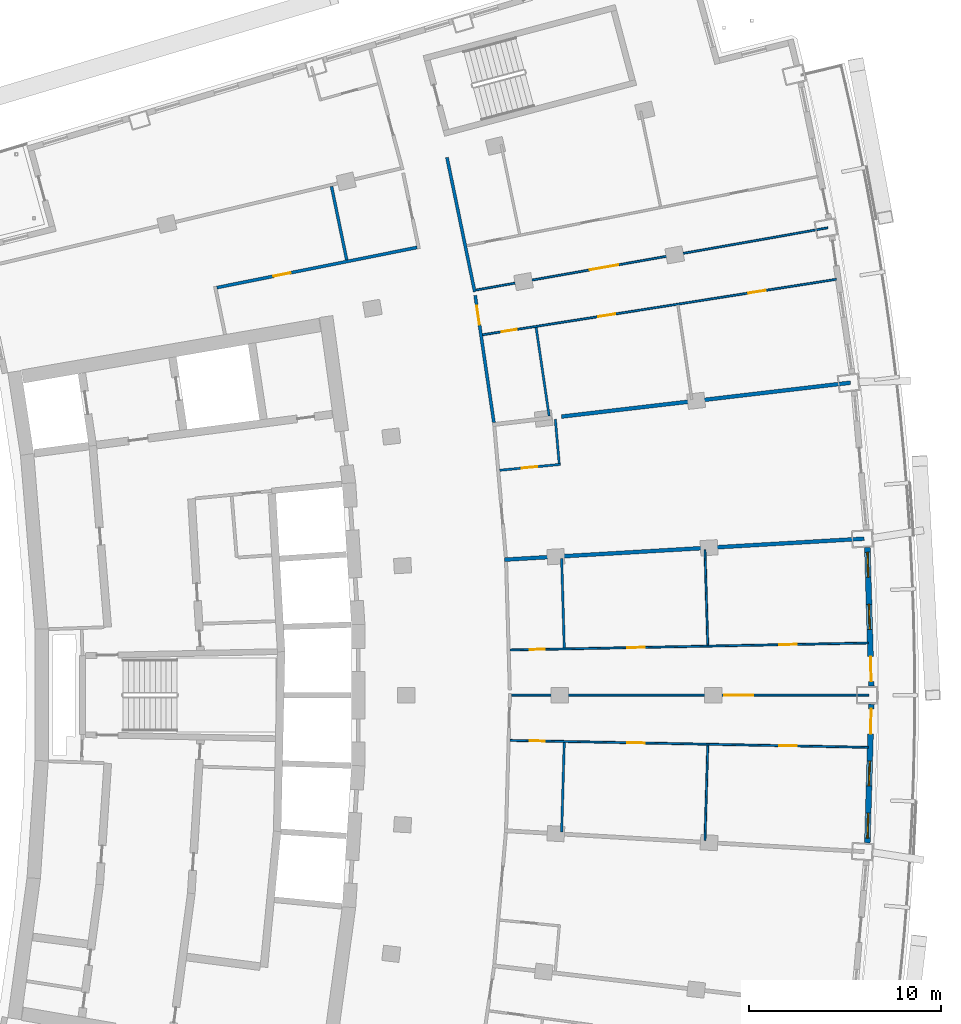
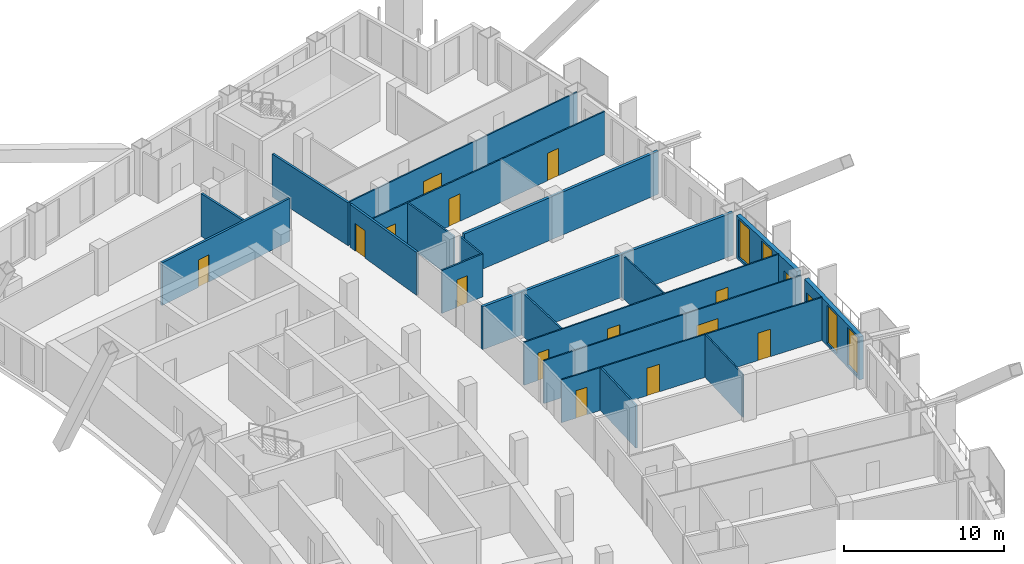
# One storey, part 14 of 20: 20 walls, 16 doors, 4 windows, 20 openings.
"""IFC4 building model written with IfcOpenShell, lengths in metres."""

from ifc_helpers import new_model, si_unit, direction, frame, frame_2d, origin, place, context, subcontext, project, spatial, rectangle, extrude, material, layer, layer_set, type_object, element, fill, save


model = new_model("IFC4")

# Units and contexts
model_context = context("Model", 3, precision=1e-05, world=origin(), true_north=direction((0.0, 1.0)))
body_context = subcontext(model_context, "Body", "Model", "MODEL_VIEW")
ifc_project = project(units=[si_unit("LENGTHUNIT", "METRE"), si_unit("AREAUNIT", "SQUARE_METRE"), si_unit("VOLUMEUNIT", "CUBIC_METRE"), si_unit("PLANEANGLEUNIT", "RADIAN"), si_unit("MASSUNIT", "GRAM", prefix="KILO")], contexts=[model_context])

# Site, building, storey
site_placement = place(None, origin())
site = spatial("IfcSite", under=ifc_project, at=site_placement, CompositionType="ELEMENT")
building_placement = place(site_placement, origin())
building = spatial("IfcBuilding", under=site, at=building_placement, Name="Alderwake Tower", CompositionType="ELEMENT")
storey_placement = place(building_placement, frame((0.0, 0.0, 149.60009765625)))
storey = spatial("IfcBuildingStorey", under=building, at=storey_placement, Name="L36", CompositionType="ELEMENT", Elevation=149.60009765625)

# Wall, opening, door
ifc_material_1 = material(Name="Gypsum board on metal studs, rated")
ifc_layer_1 = layer(ifc_material_1, 0.159912109375)
ifc_layer_set_1 = layer_set([ifc_layer_1], Name="Corridor wall 160")
wall_type_1 = type_object("IfcWallType", Name="Corridor wall 160", PredefinedType="PARTITIONING", material=ifc_layer_set_1)
wall_1_placement = place(storey_placement, frame((25.926513671875, 82.24267578125, 0.0), z_axis=(0.0, 0.0, 1.0), x_axis=(0.98046310274, 0.196703086316, 0.0)))
wall_1 = element("IfcWall", 1, at=wall_1_placement, inside=storey, type_object=wall_type_1, Name="WL/L36/W20", PredefinedType="PARTITIONING", context=body_context, shape_type="SweptSolid", body=[
    extrude(rectangle(XDim=10.637939453125, YDim=0.159912109375, at=frame_2d((5.31884765625, 0.0))), origin(), (0.0, 0.0, 1.0), 3.27978515625),
])
opening_1_placement = place(wall_1_placement, frame((3.009033203125, 0.0, 0.0)))
opening_1 = element("IfcOpeningElement", 2, at=opening_1_placement, cuts=wall_1, Name="Opening R10-SBN1", PredefinedType="OPENING", context=body_context, shape_type="SweptSolid", body=[
    extrude(rectangle(XDim=0.89990234375, YDim=2.10009765625, at=frame_2d((0.449951171875, 1.050048828125))), frame((0.0, 0.08984375, 0.0), z_axis=(0.0, -1.0, 0.0), x_axis=(1.0, 0.0, 0.0)), (0.0, 0.0, 1.0), 0.179931640625),
])
ifc_material_2 = material(Name="Painted timber leaf", Category="wood")
door_type_1 = type_object("IfcDoorType", Name="Room door 900", OperationType="SINGLE_SWING_LEFT", PredefinedType="DOOR", material=ifc_material_2)
door_1_placement = place(opening_1_placement, origin())
door_1 = element("IfcDoor", 3, at=door_1_placement, inside=storey, type_object=door_type_1, Name="DR/L36/SBN1", OperationType="SINGLE_SWING_LEFT", OverallHeight=2.10009765625, OverallWidth=0.89990234375, PredefinedType="DOOR", context=body_context, shape_type="SweptSolid", body=[
    extrude(rectangle(XDim=0.89990234375, YDim=2.10009765625, at=frame_2d((0.449951171875, 1.050048828125))), frame((0.0, 0.02490234375, 0.0), z_axis=(0.0, -1.0, 0.0), x_axis=(1.0, 0.0, 0.0)), (0.0, 0.0, 1.0), 0.050048828125),
])
fill(opening_1, door_1)

# Wall
wall_2_placement = place(storey_placement, frame((39.3642578125, 82.022705078125, 0.0), z_axis=(0.0, 0.0, 1.0), x_axis=(-0.202409142021, 0.979301046271, 0.0)))
element("IfcWall", 4, at=wall_2_placement, inside=storey, type_object=wall_type_1, Name="WL/L36/W23", PredefinedType="PARTITIONING", context=body_context, shape_type="SweptSolid", body=[
    extrude(rectangle(XDim=7.150146484375, YDim=0.159912109375, at=frame_2d((3.5751953125, 0.0))), origin(), (0.0, 0.0, 1.0), 3.27978515625),
])

# Wall, opening, door
wall_3_placement = place(storey_placement, frame((39.38671875, 81.837158203125, 0.0), z_axis=(0.0, 0.0, 1.0), x_axis=(0.145576845789, -0.989346947218, 0.0)))
wall_3 = element("IfcWall", 5, at=wall_3_placement, inside=storey, type_object=wall_type_1, Name="WL/L36/W24", PredefinedType="PARTITIONING", context=body_context, shape_type="SweptSolid", body=[
    extrude(rectangle(XDim=6.701416015625, YDim=0.159912109375, at=frame_2d((3.3505859375, 0.0))), origin(), (0.0, 0.0, 1.0), 3.27978515625),
])
opening_2_placement = place(wall_3_placement, frame((0.54443359375, 0.0, 0.0)))
opening_2 = element("IfcOpeningElement", 6, at=opening_2_placement, cuts=wall_3, Name="Opening R10-U07.2", PredefinedType="OPENING", context=body_context, shape_type="SweptSolid", body=[
    extrude(rectangle(XDim=1.0, YDim=2.10009765625, at=frame_2d((0.5, 1.050048828125))), frame((0.0, 0.08984375, 0.0), z_axis=(0.0, -1.0, 0.0), x_axis=(1.0, 0.0, 0.0)), (0.0, 0.0, 1.0), 0.179931640625),
])
ifc_material_3 = material(Name="Solid timber leaf in steel frame", Category="steel")
door_type_2 = type_object("IfcDoorType", Name="Flat entrance door 1000 fire-rated", OperationType="SINGLE_SWING_LEFT", PredefinedType="DOOR", material=ifc_material_3)
door_2_placement = place(opening_2_placement, origin())
door_2 = element("IfcDoor", 7, at=door_2_placement, inside=storey, type_object=door_type_2, Name="DR/L36/U07.2", OperationType="SINGLE_SWING_LEFT", OverallHeight=2.10009765625, OverallWidth=1.0, PredefinedType="DOOR", context=body_context, shape_type="SweptSolid", body=[
    extrude(rectangle(XDim=1.0, YDim=2.10009765625, at=frame_2d((0.5, 1.050048828125))), frame((0.0, 0.02490234375, 0.0), z_axis=(0.0, -1.0, 0.0), x_axis=(1.0, 0.0, 0.0)), (0.0, 0.0, 1.0), 0.050048828125),
])
fill(opening_2, door_2)

# Wall, openings, door, windows
ifc_material_4 = material(Name="Precast concrete C50/60 spandrel panel", Category="concrete")
ifc_layer_2 = layer(ifc_material_4, 0.300048828125)
ifc_layer_set_2 = layer_set([ifc_layer_2], Name="External wall EW1 Precast concrete C50/60 spandrel")
wall_type_2 = type_object("IfcWallType", Name="External wall EW1 Precast concrete C50/60 spandrel", PredefinedType="SOLIDWALL", material=ifc_layer_set_2)
wall_4_placement = place(storey_placement, frame((59.82568359375, 53.30810546875, 0.0), z_axis=(0.0, 0.0, 1.0), x_axis=(0.029139773033, 0.999575346649, 0.0)))
wall_4 = element("IfcWall", 8, at=wall_4_placement, inside=storey, type_object=wall_type_2, Name="External wall 15", PredefinedType="SOLIDWALL", context=body_context, shape_type="SweptSolid", body=[
    extrude(rectangle(XDim=7.22216796875, YDim=0.300048828125, at=frame_2d((3.611083984375, 0.0))), origin(), (0.0, 0.0, 1.0), 3.27978515625),
])
opening_3_placement = place(wall_4_placement, frame((0.2431640625, 0.0, 0.199951171875)))
opening_3 = element("IfcOpeningElement", 9, at=opening_3_placement, cuts=wall_4, Name="Opening W1", PredefinedType="OPENING", context=body_context, shape_type="SweptSolid", body=[
    extrude(rectangle(XDim=1.300048828125, YDim=2.89990234375, at=frame_2d((0.64990234375, 1.449951171875))), frame((0.0, 0.159912109375, 0.0), z_axis=(0.0, -1.0, 0.0), x_axis=(1.0, 0.0, 0.0)), (0.0, 0.0, 1.0), 0.320068359375),
])
opening_4_placement = place(wall_4_placement, frame((2.961181640625, 0.0, 0.199951171875)))
opening_4 = element("IfcOpeningElement", 10, at=opening_4_placement, cuts=wall_4, Name="Opening W1", PredefinedType="OPENING", context=body_context, shape_type="SweptSolid", body=[
    extrude(rectangle(XDim=1.300048828125, YDim=2.89990234375, at=frame_2d((0.64990234375, 1.449951171875))), frame((0.0, 0.159912109375, 0.0), z_axis=(0.0, -1.0, 0.0), x_axis=(1.0, 0.0, 0.0)), (0.0, 0.0, 1.0), 0.320068359375),
])
opening_5_placement = place(wall_4_placement, frame((5.678955078125, 0.0, 0.0)))
opening_5 = element("IfcOpeningElement", 11, at=opening_5_placement, cuts=wall_4, Name="Opening D04", PredefinedType="OPENING", context=body_context, shape_type="SweptSolid", body=[
    extrude(rectangle(XDim=1.300048828125, YDim=2.39990234375, at=frame_2d((0.64990234375, 1.199951171875))), frame((0.0, 0.159912109375, 0.0), z_axis=(0.0, -1.0, 0.0), x_axis=(1.0, 0.0, 0.0)), (0.0, 0.0, 1.0), 0.320068359375),
])
ifc_material_5 = material(Name="Bronze tinted glass in aluminium frame", Category="aluminium")
door_type_3 = type_object("IfcDoorType", Name="Balcony door BD sliding", OperationType="SLIDING_TO_LEFT", PredefinedType="DOOR", material=ifc_material_5)
door_3_placement = place(opening_5_placement, origin())
door_3 = element("IfcDoor", 12, at=door_3_placement, inside=storey, type_object=door_type_3, Name="Door D04", OperationType="SLIDING_TO_LEFT", OverallHeight=2.39990234375, OverallWidth=1.300048828125, PredefinedType="DOOR", context=body_context, shape_type="SweptSolid", body=[
    extrude(rectangle(XDim=1.300048828125, YDim=2.39990234375, at=frame_2d((0.64990234375, 1.199951171875))), frame((0.0, 0.02490234375, 0.0), z_axis=(0.0, -1.0, 0.0), x_axis=(1.0, 0.0, 0.0)), (0.0, 0.0, 1.0), 0.050048828125),
])
fill(opening_5, door_3)
ifc_material_6 = material(Name="Bronze tinted glass in aluminium frame", Category="aluminium")
window_type = type_object("IfcWindowType", Name="Window W1 tall fixed and vent", PartitioningType="DOUBLE_PANEL_VERTICAL", PredefinedType="WINDOW", material=ifc_material_6)
window_1_placement = place(opening_3_placement, origin())
window_1 = element("IfcWindow", 13, at=window_1_placement, inside=storey, type_object=window_type, Name="Window W1 tall fixed and vent", OverallHeight=2.89990234375, OverallWidth=1.300048828125, PartitioningType="DOUBLE_PANEL_VERTICAL", PredefinedType="WINDOW", context=body_context, shape_type="SweptSolid", body=[
    extrude(rectangle(XDim=1.300048828125, YDim=2.89990234375, at=frame_2d((0.64990234375, 1.449951171875))), frame((0.0, 0.030029296875, 0.0), z_axis=(0.0, -1.0, 0.0), x_axis=(1.0, 0.0, 0.0)), (0.0, 0.0, 1.0), 0.06005859375),
])
fill(opening_3, window_1)
window_2_placement = place(opening_4_placement, origin())
window_2 = element("IfcWindow", 14, at=window_2_placement, inside=storey, type_object=window_type, Name="Window W1 tall fixed and vent", OverallHeight=2.89990234375, OverallWidth=1.300048828125, PartitioningType="DOUBLE_PANEL_VERTICAL", PredefinedType="WINDOW", context=body_context, shape_type="SweptSolid", body=[
    extrude(rectangle(XDim=1.300048828125, YDim=2.89990234375, at=frame_2d((0.64990234375, 1.449951171875))), frame((0.0, 0.030029296875, 0.0), z_axis=(0.0, -1.0, 0.0), x_axis=(1.0, 0.0, 0.0)), (0.0, 0.0, 1.0), 0.06005859375),
])
fill(opening_4, window_2)

wall_5_placement = place(storey_placement, frame((60.0361328125, 61.472900390625, 0.0), z_axis=(0.0, 0.0, 1.0), x_axis=(-0.029139773033, 0.999575346649, 0.0)))
wall_5 = element("IfcWall", 15, at=wall_5_placement, inside=storey, type_object=wall_type_2, Name="External wall 16", PredefinedType="SOLIDWALL", context=body_context, shape_type="SweptSolid", body=[
    extrude(rectangle(XDim=7.22216796875, YDim=0.300048828125, at=frame_2d((3.611083984375, 0.0))), origin(), (0.0, 0.0, 1.0), 3.27978515625),
])
opening_6_placement = place(wall_5_placement, frame((0.2431640625, 0.0, 0.0)))
opening_6 = element("IfcOpeningElement", 16, at=opening_6_placement, cuts=wall_5, Name="Opening D05", PredefinedType="OPENING", context=body_context, shape_type="SweptSolid", body=[
    extrude(rectangle(XDim=1.300048828125, YDim=2.39990234375, at=frame_2d((0.64990234375, 1.199951171875))), frame((0.0, 0.159912109375, 0.0), z_axis=(0.0, -1.0, 0.0), x_axis=(1.0, 0.0, 0.0)), (0.0, 0.0, 1.0), 0.320068359375),
])
opening_7_placement = place(wall_5_placement, frame((2.961181640625, 0.0, 0.199951171875)))
opening_7 = element("IfcOpeningElement", 17, at=opening_7_placement, cuts=wall_5, Name="Opening W1", PredefinedType="OPENING", context=body_context, shape_type="SweptSolid", body=[
    extrude(rectangle(XDim=1.300048828125, YDim=2.89990234375, at=frame_2d((0.64990234375, 1.449951171875))), frame((0.0, 0.159912109375, 0.0), z_axis=(0.0, -1.0, 0.0), x_axis=(1.0, 0.0, 0.0)), (0.0, 0.0, 1.0), 0.320068359375),
])
opening_8_placement = place(wall_5_placement, frame((5.678955078125, 0.0, 0.199951171875)))
opening_8 = element("IfcOpeningElement", 18, at=opening_8_placement, cuts=wall_5, Name="Opening W1", PredefinedType="OPENING", context=body_context, shape_type="SweptSolid", body=[
    extrude(rectangle(XDim=1.300048828125, YDim=2.89990234375, at=frame_2d((0.64990234375, 1.449951171875))), frame((0.0, 0.159912109375, 0.0), z_axis=(0.0, -1.0, 0.0), x_axis=(1.0, 0.0, 0.0)), (0.0, 0.0, 1.0), 0.320068359375),
])
door_4_placement = place(opening_6_placement, origin())
door_4 = element("IfcDoor", 19, at=door_4_placement, inside=storey, type_object=door_type_3, Name="Door D05", OperationType="SLIDING_TO_LEFT", OverallHeight=2.39990234375, OverallWidth=1.300048828125, PredefinedType="DOOR", context=body_context, shape_type="SweptSolid", body=[
    extrude(rectangle(XDim=1.300048828125, YDim=2.39990234375, at=frame_2d((0.64990234375, 1.199951171875))), frame((0.0, 0.02490234375, 0.0), z_axis=(0.0, -1.0, 0.0), x_axis=(1.0, 0.0, 0.0)), (0.0, 0.0, 1.0), 0.050048828125),
])
fill(opening_6, door_4)
window_3_placement = place(opening_7_placement, origin())
window_3 = element("IfcWindow", 20, at=window_3_placement, inside=storey, type_object=window_type, Name="Window W1 tall fixed and vent", OverallHeight=2.89990234375, OverallWidth=1.300048828125, PartitioningType="DOUBLE_PANEL_VERTICAL", PredefinedType="WINDOW", context=body_context, shape_type="SweptSolid", body=[
    extrude(rectangle(XDim=1.300048828125, YDim=2.89990234375, at=frame_2d((0.64990234375, 1.449951171875))), frame((0.0, 0.030029296875, 0.0), z_axis=(0.0, -1.0, 0.0), x_axis=(1.0, 0.0, 0.0)), (0.0, 0.0, 1.0), 0.06005859375),
])
fill(opening_7, window_3)
window_4_placement = place(opening_8_placement, origin())
window_4 = element("IfcWindow", 21, at=window_4_placement, inside=storey, type_object=window_type, Name="Window W1 tall fixed and vent", OverallHeight=2.89990234375, OverallWidth=1.300048828125, PartitioningType="DOUBLE_PANEL_VERTICAL", PredefinedType="WINDOW", context=body_context, shape_type="SweptSolid", body=[
    extrude(rectangle(XDim=1.300048828125, YDim=2.89990234375, at=frame_2d((0.64990234375, 1.449951171875))), frame((0.0, 0.030029296875, 0.0), z_axis=(0.0, -1.0, 0.0), x_axis=(1.0, 0.0, 0.0)), (0.0, 0.0, 1.0), 0.06005859375),
])
fill(opening_8, window_4)

# Walls
ifc_material_7 = material(Name="Dense block masonry wall", Category="masonry")
ifc_layer_3 = layer(ifc_material_7, 0.199951171875)
ifc_layer_set_3 = layer_set([ifc_layer_3], Name="Party wall 200")
wall_type_3 = type_object("IfcWallType", Name="Party wall 200", PredefinedType="SOLIDWALL", material=ifc_layer_set_3)
wall_6_placement = place(storey_placement, frame((58.949951171875, 77.285888671875, 0.0), z_axis=(0.0, 0.0, 1.0), x_axis=(-0.993190756865, -0.116499444109, 0.0)))
element("IfcWall", 22, at=wall_6_placement, inside=storey, type_object=wall_type_3, Name="WL/L36/W04", PredefinedType="SOLIDWALL", context=body_context, shape_type="SweptSolid", body=[
    extrude(rectangle(XDim=15.168212890625, YDim=0.199951171875, at=frame_2d((7.583984375, 0.0))), origin(), (0.0, 0.0, 1.0), 3.27978515625),
])
wall_7_placement = place(storey_placement, frame((59.660888671875, 69.156005859375, 0.0), z_axis=(0.0, 0.0, 1.0), x_axis=(-0.998302191282, -0.058247187749, 0.0)))
element("IfcWall", 23, at=wall_7_placement, inside=storey, type_object=wall_type_3, Name="WL/L36/W06", PredefinedType="SOLIDWALL", context=body_context, shape_type="SweptSolid", body=[
    extrude(rectangle(XDim=18.77783203125, YDim=0.199951171875, at=frame_2d((9.388916015625, 0.0))), origin(), (0.0, 0.0, 1.0), 3.27978515625),
])
ifc_material_8 = material(Name="Gypsum shaft wall system, rated")
ifc_layer_4 = layer(ifc_material_8, 0.14990234375)
ifc_layer_set_4 = layer_set([ifc_layer_4], Name="Riser and shaft wall 150")
wall_type_4 = type_object("IfcWallType", Name="Riser and shaft wall 150", PredefinedType="PARTITIONING", material=ifc_layer_set_4)
wall_8_placement = place(storey_placement, frame((32.69287109375, 83.682373046875, 0.0), z_axis=(0.0, 0.0, 1.0), x_axis=(-0.20266545775, 0.979248034073, 0.0)))
element("IfcWall", 24, at=wall_8_placement, inside=storey, type_object=wall_type_4, Name="WL/L36/W08", PredefinedType="PARTITIONING", context=body_context, shape_type="SweptSolid", body=[
    extrude(rectangle(XDim=3.911376953125, YDim=0.14990234375, at=frame_2d((1.95556640625, 0.0))), origin(), (0.0, 0.0, 1.0), 3.27978515625),
])

# Wall, openings, doors
ifc_material_9 = material(Name="Gypsum board on metal studs")
ifc_layer_5 = layer(ifc_material_9, 0.10009765625)
ifc_layer_set_5 = layer_set([ifc_layer_5], Name="Unit partition 100")
wall_type_5 = type_object("IfcWallType", Name="Unit partition 100", PredefinedType="PARTITIONING", material=ifc_layer_set_5)
wall_9_placement = place(storey_placement, frame((58.2060546875, 82.674072265625, 0.0), z_axis=(0.0, 0.0, 1.0), x_axis=(-0.987923453113, -0.1549427339, 0.0)))
wall_9 = element("IfcWall", 25, at=wall_9_placement, inside=storey, type_object=wall_type_5, Name="WL/L36/W44", PredefinedType="PARTITIONING", context=body_context, shape_type="SweptSolid", body=[
    extrude(rectangle(XDim=18.662353515625, YDim=0.10009765625, at=frame_2d((9.3310546875, 0.0))), origin(), (0.0, 0.0, 1.0), 3.27978515625),
])
opening_9_placement = place(wall_9_placement, frame((11.651123046875, 0.0, 0.0)))
opening_9 = element("IfcOpeningElement", 26, at=opening_9_placement, cuts=wall_9, Name="Opening R10-U07.1", PredefinedType="OPENING", context=body_context, shape_type="SweptSolid", body=[
    extrude(rectangle(XDim=0.89990234375, YDim=2.10009765625, at=frame_2d((0.449951171875, 1.050048828125))), frame((0.0, 0.06005859375, 0.0), z_axis=(0.0, -1.0, 0.0), x_axis=(1.0, 0.0, 0.0)), (0.0, 0.0, 1.0), 0.1201171875),
])
opening_10_placement = place(wall_9_placement, frame((16.852294921875, 0.0, 0.0)))
opening_10 = element("IfcOpeningElement", 27, at=opening_10_placement, cuts=wall_9, Name="Opening R10-U07.3", PredefinedType="OPENING", context=body_context, shape_type="SweptSolid", body=[
    extrude(rectangle(XDim=0.800048828125, YDim=2.10009765625, at=frame_2d((0.39990234375, 1.050048828125))), frame((0.0, 0.06005859375, 0.0), z_axis=(0.0, -1.0, 0.0), x_axis=(1.0, 0.0, 0.0)), (0.0, 0.0, 1.0), 0.1201171875),
])
opening_11_placement = place(wall_9_placement, frame((3.72998046875, 0.0, 0.0)))
opening_11 = element("IfcOpeningElement", 28, at=opening_11_placement, cuts=wall_9, Name="Opening R10-U07.4", PredefinedType="OPENING", context=body_context, shape_type="SweptSolid", body=[
    extrude(rectangle(XDim=0.89990234375, YDim=2.10009765625, at=frame_2d((0.449951171875, 1.050048828125))), frame((0.0, 0.06005859375, 0.0), z_axis=(0.0, -1.0, 0.0), x_axis=(1.0, 0.0, 0.0)), (0.0, 0.0, 1.0), 0.1201171875),
])
ifc_material_10 = material(Name="Painted timber leaf", Category="wood")
door_type_4 = type_object("IfcDoorType", Name="Bathroom door 800", OperationType="SINGLE_SWING_LEFT", PredefinedType="DOOR", material=ifc_material_10)
door_5_placement = place(opening_10_placement, origin())
door_5 = element("IfcDoor", 29, at=door_5_placement, inside=storey, type_object=door_type_4, Name="DR/L36/U07.3", OperationType="SINGLE_SWING_LEFT", OverallHeight=2.10009765625, OverallWidth=0.800048828125, PredefinedType="DOOR", context=body_context, shape_type="SweptSolid", body=[
    extrude(rectangle(XDim=0.800048828125, YDim=2.10009765625, at=frame_2d((0.39990234375, 1.050048828125))), frame((0.0, 0.02490234375, 0.0), z_axis=(0.0, -1.0, 0.0), x_axis=(1.0, 0.0, 0.0)), (0.0, 0.0, 1.0), 0.050048828125),
])
fill(opening_10, door_5)
door_6_placement = place(opening_9_placement, origin())
door_6 = element("IfcDoor", 30, at=door_6_placement, inside=storey, type_object=door_type_1, Name="DR/L36/U07.1", OperationType="SINGLE_SWING_LEFT", OverallHeight=2.10009765625, OverallWidth=0.89990234375, PredefinedType="DOOR", context=body_context, shape_type="SweptSolid", body=[
    extrude(rectangle(XDim=0.89990234375, YDim=2.10009765625, at=frame_2d((0.449951171875, 1.050048828125))), frame((0.0, 0.02490234375, 0.0), z_axis=(0.0, -1.0, 0.0), x_axis=(1.0, 0.0, 0.0)), (0.0, 0.0, 1.0), 0.050048828125),
])
fill(opening_9, door_6)
door_7_placement = place(opening_11_placement, origin())
door_7 = element("IfcDoor", 31, at=door_7_placement, inside=storey, type_object=door_type_1, Name="DR/L36/U07.4", OperationType="SINGLE_SWING_LEFT", OverallHeight=2.10009765625, OverallWidth=0.89990234375, PredefinedType="DOOR", context=body_context, shape_type="SweptSolid", body=[
    extrude(rectangle(XDim=0.89990234375, YDim=2.10009765625, at=frame_2d((0.449951171875, 1.050048828125))), frame((0.0, 0.02490234375, 0.0), z_axis=(0.0, -1.0, 0.0), x_axis=(1.0, 0.0, 0.0)), (0.0, 0.0, 1.0), 0.050048828125),
])
fill(opening_11, door_7)

wall_10_placement = place(storey_placement, frame((59.87109375, 58.281005859375, 0.0), z_axis=(0.0, 0.0, 1.0), x_axis=(-0.999812344215, 0.019372050889, 0.0)))
wall_10 = element("IfcWall", 32, at=wall_10_placement, inside=storey, type_object=wall_type_5, Name="WL/L36/W46", PredefinedType="PARTITIONING", context=body_context, shape_type="SweptSolid", body=[
    extrude(rectangle(XDim=18.66455078125, YDim=0.10009765625, at=frame_2d((9.332275390625, 0.0))), origin(), (0.0, 0.0, 1.0), 3.27978515625),
])
opening_12_placement = place(wall_10_placement, frame((11.6533203125, 0.0, 0.0)))
opening_12 = element("IfcOpeningElement", 33, at=opening_12_placement, cuts=wall_10, Name="Opening R10-U05.1", PredefinedType="OPENING", context=body_context, shape_type="SweptSolid", body=[
    extrude(rectangle(XDim=0.89990234375, YDim=2.10009765625, at=frame_2d((0.449951171875, 1.050048828125))), frame((0.0, 0.06005859375, 0.0), z_axis=(0.0, -1.0, 0.0), x_axis=(1.0, 0.0, 0.0)), (0.0, 0.0, 1.0), 0.1201171875),
])
opening_13_placement = place(wall_10_placement, frame((16.8544921875, 0.0, 0.0)))
opening_13 = element("IfcOpeningElement", 34, at=opening_13_placement, cuts=wall_10, Name="Opening R10-U05.3", PredefinedType="OPENING", context=body_context, shape_type="SweptSolid", body=[
    extrude(rectangle(XDim=0.800048828125, YDim=2.10009765625, at=frame_2d((0.39990234375, 1.050048828125))), frame((0.0, 0.06005859375, 0.0), z_axis=(0.0, -1.0, 0.0), x_axis=(1.0, 0.0, 0.0)), (0.0, 0.0, 1.0), 0.1201171875),
])
opening_14_placement = place(wall_10_placement, frame((3.7314453125, 0.0, 0.0)))
opening_14 = element("IfcOpeningElement", 35, at=opening_14_placement, cuts=wall_10, Name="Opening R10-U05.4", PredefinedType="OPENING", context=body_context, shape_type="SweptSolid", body=[
    extrude(rectangle(XDim=0.89990234375, YDim=2.10009765625, at=frame_2d((0.449951171875, 1.050048828125))), frame((0.0, 0.06005859375, 0.0), z_axis=(0.0, -1.0, 0.0), x_axis=(1.0, 0.0, 0.0)), (0.0, 0.0, 1.0), 0.1201171875),
])
door_8_placement = place(opening_13_placement, origin())
door_8 = element("IfcDoor", 36, at=door_8_placement, inside=storey, type_object=door_type_4, Name="DR/L36/U05.3", OperationType="SINGLE_SWING_LEFT", OverallHeight=2.10009765625, OverallWidth=0.800048828125, PredefinedType="DOOR", context=body_context, shape_type="SweptSolid", body=[
    extrude(rectangle(XDim=0.800048828125, YDim=2.10009765625, at=frame_2d((0.39990234375, 1.050048828125))), frame((0.0, 0.02490234375, 0.0), z_axis=(0.0, -1.0, 0.0), x_axis=(1.0, 0.0, 0.0)), (0.0, 0.0, 1.0), 0.050048828125),
])
fill(opening_13, door_8)
door_9_placement = place(opening_12_placement, origin())
door_9 = element("IfcDoor", 37, at=door_9_placement, inside=storey, type_object=door_type_1, Name="DR/L36/U05.1", OperationType="SINGLE_SWING_LEFT", OverallHeight=2.10009765625, OverallWidth=0.89990234375, PredefinedType="DOOR", context=body_context, shape_type="SweptSolid", body=[
    extrude(rectangle(XDim=0.89990234375, YDim=2.10009765625, at=frame_2d((0.449951171875, 1.050048828125))), frame((0.0, 0.02490234375, 0.0), z_axis=(0.0, -1.0, 0.0), x_axis=(1.0, 0.0, 0.0)), (0.0, 0.0, 1.0), 0.050048828125),
])
fill(opening_12, door_9)
door_10_placement = place(opening_14_placement, origin())
door_10 = element("IfcDoor", 38, at=door_10_placement, inside=storey, type_object=door_type_1, Name="DR/L36/U05.4", OperationType="SINGLE_SWING_LEFT", OverallHeight=2.10009765625, OverallWidth=0.89990234375, PredefinedType="DOOR", context=body_context, shape_type="SweptSolid", body=[
    extrude(rectangle(XDim=0.89990234375, YDim=2.10009765625, at=frame_2d((0.449951171875, 1.050048828125))), frame((0.0, 0.02490234375, 0.0), z_axis=(0.0, -1.0, 0.0), x_axis=(1.0, 0.0, 0.0)), (0.0, 0.0, 1.0), 0.050048828125),
])
fill(opening_14, door_10)

wall_11_placement = place(storey_placement, frame((41.2099609375, 63.355712890625, 0.0), z_axis=(0.0, 0.0, 1.0), x_axis=(0.999809547067, 0.01951588053, 0.0)))
wall_11 = element("IfcWall", 39, at=wall_11_placement, inside=storey, type_object=wall_type_5, Name="WL/L36/W47", PredefinedType="PARTITIONING", context=body_context, shape_type="SweptSolid", body=[
    extrude(rectangle(XDim=18.664794921875, YDim=0.10009765625, at=frame_2d((9.33251953125, 0.0))), origin(), (0.0, 0.0, 1.0), 3.27978515625),
])
opening_15_placement = place(wall_11_placement, frame((6.111083984375, 0.0, 0.0)))
opening_15 = element("IfcOpeningElement", 40, at=opening_15_placement, cuts=wall_11, Name="Opening R10-U05.5", PredefinedType="OPENING", context=body_context, shape_type="SweptSolid", body=[
    extrude(rectangle(XDim=0.89990234375, YDim=2.10009765625, at=frame_2d((0.449951171875, 1.050048828125))), frame((0.0, 0.06005859375, 0.0), z_axis=(0.0, -1.0, 0.0), x_axis=(1.0, 0.0, 0.0)), (0.0, 0.0, 1.0), 0.1201171875),
])
opening_16_placement = place(wall_11_placement, frame((1.010009765625, 0.0, 0.0)))
opening_16 = element("IfcOpeningElement", 41, at=opening_16_placement, cuts=wall_11, Name="Opening R10-U05.6", PredefinedType="OPENING", context=body_context, shape_type="SweptSolid", body=[
    extrude(rectangle(XDim=0.800048828125, YDim=2.10009765625, at=frame_2d((0.39990234375, 1.050048828125))), frame((0.0, 0.06005859375, 0.0), z_axis=(0.0, -1.0, 0.0), x_axis=(1.0, 0.0, 0.0)), (0.0, 0.0, 1.0), 0.1201171875),
])
opening_17_placement = place(wall_11_placement, frame((14.032958984375, 0.0, 0.0)))
opening_17 = element("IfcOpeningElement", 42, at=opening_17_placement, cuts=wall_11, Name="Opening R10-U05.7", PredefinedType="OPENING", context=body_context, shape_type="SweptSolid", body=[
    extrude(rectangle(XDim=0.89990234375, YDim=2.10009765625, at=frame_2d((0.449951171875, 1.050048828125))), frame((0.0, 0.06005859375, 0.0), z_axis=(0.0, -1.0, 0.0), x_axis=(1.0, 0.0, 0.0)), (0.0, 0.0, 1.0), 0.1201171875),
])
door_11_placement = place(opening_16_placement, origin())
door_11 = element("IfcDoor", 43, at=door_11_placement, inside=storey, type_object=door_type_4, Name="DR/L36/U05.6", OperationType="SINGLE_SWING_LEFT", OverallHeight=2.10009765625, OverallWidth=0.800048828125, PredefinedType="DOOR", context=body_context, shape_type="SweptSolid", body=[
    extrude(rectangle(XDim=0.800048828125, YDim=2.10009765625, at=frame_2d((0.39990234375, 1.050048828125))), frame((0.0, 0.02490234375, 0.0), z_axis=(0.0, -1.0, 0.0), x_axis=(1.0, 0.0, 0.0)), (0.0, 0.0, 1.0), 0.050048828125),
])
fill(opening_16, door_11)
door_12_placement = place(opening_15_placement, origin())
door_12 = element("IfcDoor", 44, at=door_12_placement, inside=storey, type_object=door_type_1, Name="DR/L36/U05.5", OperationType="SINGLE_SWING_LEFT", OverallHeight=2.10009765625, OverallWidth=0.89990234375, PredefinedType="DOOR", context=body_context, shape_type="SweptSolid", body=[
    extrude(rectangle(XDim=0.89990234375, YDim=2.10009765625, at=frame_2d((0.449951171875, 1.050048828125))), frame((0.0, 0.02490234375, 0.0), z_axis=(0.0, -1.0, 0.0), x_axis=(1.0, 0.0, 0.0)), (0.0, 0.0, 1.0), 0.050048828125),
])
fill(opening_15, door_12)
door_13_placement = place(opening_17_placement, origin())
door_13 = element("IfcDoor", 45, at=door_13_placement, inside=storey, type_object=door_type_1, Name="DR/L36/U05.7", OperationType="SINGLE_SWING_LEFT", OverallHeight=2.10009765625, OverallWidth=0.89990234375, PredefinedType="DOOR", context=body_context, shape_type="SweptSolid", body=[
    extrude(rectangle(XDim=0.89990234375, YDim=2.10009765625, at=frame_2d((0.449951171875, 1.050048828125))), frame((0.0, 0.02490234375, 0.0), z_axis=(0.0, -1.0, 0.0), x_axis=(1.0, 0.0, 0.0)), (0.0, 0.0, 1.0), 0.050048828125),
])
fill(opening_17, door_13)

# Walls
wall_12_placement = place(storey_placement, frame((51.36279296875, 53.427978515625, 0.0), z_axis=(0.0, 0.0, 1.0), x_axis=(0.029342722012, 0.999569409628, 0.0)))
element("IfcWall", 46, at=wall_12_placement, inside=storey, type_object=wall_type_5, Name="WL/L36/W51", PredefinedType="PARTITIONING", context=body_context, shape_type="SweptSolid", body=[
    extrude(rectangle(XDim=4.96728515625, YDim=0.10009765625, at=frame_2d((2.483642578125, 0.0))), origin(), (0.0, 0.0, 1.0), 3.27978515625),
])
wall_13_placement = place(storey_placement, frame((51.508544921875, 63.60791015625, 0.0), z_axis=(0.0, 0.0, 1.0), x_axis=(-0.029360031199, 0.999568901361, 0.0)))
element("IfcWall", 47, at=wall_13_placement, inside=storey, type_object=wall_type_5, Name="WL/L36/W52", PredefinedType="PARTITIONING", context=body_context, shape_type="SweptSolid", body=[
    extrude(rectangle(XDim=4.96435546875, YDim=0.10009765625, at=frame_2d((2.482177734375, 0.0))), origin(), (0.0, 0.0, 1.0), 3.27978515625),
])

# Wall, opening, door
wall_14_placement = place(storey_placement, frame((39.4267578125, 82.114990234375, 0.0), z_axis=(0.0, 0.0, 1.0), x_axis=(0.984707433875, 0.174216157893, 0.0)))
wall_14 = element("IfcWall", 48, at=wall_14_placement, inside=storey, type_object=wall_type_5, Name="WL/L36/W53", PredefinedType="PARTITIONING", context=body_context, shape_type="SweptSolid", body=[
    extrude(rectangle(XDim=18.619873046875, YDim=0.10009765625, at=frame_2d((9.31005859375, 0.0))), origin(), (0.0, 0.0, 1.0), 3.27978515625),
])
opening_18_placement = place(wall_14_placement, frame((6.028076171875, 0.0, 0.0)))
opening_18 = element("IfcOpeningElement", 49, at=opening_18_placement, cuts=wall_14, Name="Opening R10-U07.8", PredefinedType="OPENING", context=body_context, shape_type="SweptSolid", body=[
    extrude(rectangle(XDim=1.5, YDim=2.10009765625, at=frame_2d((0.75, 1.050048828125))), frame((0.0, 0.06005859375, 0.0), z_axis=(0.0, -1.0, 0.0), x_axis=(1.0, 0.0, 0.0)), (0.0, 0.0, 1.0), 0.1201171875),
])
ifc_material_11 = material(Name="Painted timber leaves", Category="wood")
door_type_5 = type_object("IfcDoorType", Name="Double leaf door 1500", OperationType="DOUBLE_DOOR_SINGLE_SWING", PredefinedType="DOOR", material=ifc_material_11)
door_14_placement = place(opening_18_placement, origin())
door_14 = element("IfcDoor", 50, at=door_14_placement, inside=storey, type_object=door_type_5, Name="DR/L36/U07.8", OperationType="DOUBLE_DOOR_SINGLE_SWING", OverallHeight=2.10009765625, OverallWidth=1.5, PredefinedType="DOOR", context=body_context, shape_type="SweptSolid", body=[
    extrude(rectangle(XDim=1.5, YDim=2.10009765625, at=frame_2d((0.75, 1.050048828125))), frame((0.0, 0.02490234375, 0.0), z_axis=(0.0, -1.0, 0.0), x_axis=(1.0, 0.0, 0.0)), (0.0, 0.0, 1.0), 0.050048828125),
])
fill(opening_18, door_14)

wall_15_placement = place(storey_placement, frame((41.279052734375, 60.9990234375, 0.0), z_axis=(0.0, 0.0, 1.0), x_axis=(1.0, 0.0, 0.0)))
wall_15 = element("IfcWall", 51, at=wall_15_placement, inside=storey, type_object=wall_type_5, Name="WL/L36/W54", PredefinedType="PARTITIONING", context=body_context, shape_type="SweptSolid", body=[
    extrude(rectangle(XDim=18.621826171875, YDim=0.10009765625, at=frame_2d((9.31103515625, 0.0))), origin(), (0.0, 0.0, 1.0), 3.27978515625),
])
opening_19_placement = place(wall_15_placement, frame((11.092529296875, 0.0, 0.0)))
opening_19 = element("IfcOpeningElement", 52, at=opening_19_placement, cuts=wall_15, Name="Opening R10-U05.8", PredefinedType="OPENING", context=body_context, shape_type="SweptSolid", body=[
    extrude(rectangle(XDim=1.5, YDim=2.10009765625, at=frame_2d((0.75, 1.050048828125))), frame((0.0, 0.06005859375, 0.0), z_axis=(0.0, -1.0, 0.0), x_axis=(1.0, 0.0, 0.0)), (0.0, 0.0, 1.0), 0.1201171875),
])
door_15_placement = place(opening_19_placement, origin())
door_15 = element("IfcDoor", 53, at=door_15_placement, inside=storey, type_object=door_type_5, Name="DR/L36/U05.8", OperationType="DOUBLE_DOOR_SINGLE_SWING", OverallHeight=2.10009765625, OverallWidth=1.5, PredefinedType="DOOR", context=body_context, shape_type="SweptSolid", body=[
    extrude(rectangle(XDim=1.5, YDim=2.10009765625, at=frame_2d((0.75, 1.050048828125))), frame((0.0, 0.02490234375, 0.0), z_axis=(0.0, -1.0, 0.0), x_axis=(1.0, 0.0, 0.0)), (0.0, 0.0, 1.0), 0.050048828125),
])
fill(opening_19, door_15)

ifc_material_12 = material(Name="Moisture resistant gypsum board on metal studs")
ifc_layer_6 = layer(ifc_material_12, 0.1201171875)
ifc_layer_set_6 = layer_set([ifc_layer_6], Name="Wet room partition 120")
wall_type_6 = type_object("IfcWallType", Name="Wet room partition 120", PredefinedType="PARTITIONING", material=ifc_layer_set_6)
wall_16_placement = place(storey_placement, frame((40.66650390625, 72.7216796875, 0.0), z_axis=(0.0, 0.0, 1.0), x_axis=(0.995319074775, 0.096643361845, 0.0)))
wall_16 = element("IfcWall", 54, at=wall_16_placement, inside=storey, type_object=wall_type_6, Name="WL/L36/W34", PredefinedType="PARTITIONING", context=body_context, shape_type="SweptSolid", body=[
    extrude(rectangle(XDim=3.177978515625, YDim=0.1201171875, at=frame_2d((1.5888671875, 0.0))), origin(), (0.0, 0.0, 1.0), 3.27978515625),
])
opening_20_placement = place(wall_16_placement, frame((1.158935546875, 0.0, 0.0)))
opening_20 = element("IfcOpeningElement", 55, at=opening_20_placement, cuts=wall_16, Name="Opening R10-U06.2", PredefinedType="OPENING", context=body_context, shape_type="SweptSolid", body=[
    extrude(rectangle(XDim=0.800048828125, YDim=2.10009765625, at=frame_2d((0.39990234375, 1.050048828125))), frame((0.0, 0.070068359375, 0.0), z_axis=(0.0, -1.0, 0.0), x_axis=(1.0, 0.0, 0.0)), (0.0, 0.0, 1.0), 0.14013671875),
])
door_16_placement = place(opening_20_placement, origin())
door_16 = element("IfcDoor", 56, at=door_16_placement, inside=storey, type_object=door_type_4, Name="DR/L36/U06.2", OperationType="SINGLE_SWING_LEFT", OverallHeight=2.10009765625, OverallWidth=0.800048828125, PredefinedType="DOOR", context=body_context, shape_type="SweptSolid", body=[
    extrude(rectangle(XDim=0.800048828125, YDim=2.10009765625, at=frame_2d((0.39990234375, 1.050048828125))), frame((0.0, 0.02490234375, 0.0), z_axis=(0.0, -1.0, 0.0), x_axis=(1.0, 0.0, 0.0)), (0.0, 0.0, 1.0), 0.050048828125),
])
fill(opening_20, door_16)

# Walls
wall_17_placement = place(storey_placement, frame((43.242431640625, 75.5458984375, 0.0), z_axis=(0.0, 0.0, 1.0), x_axis=(-0.145515042, 0.989356039326, 0.0)))
element("IfcWall", 57, at=wall_17_placement, inside=storey, type_object=wall_type_6, Name="WL/L36/W37", PredefinedType="PARTITIONING", context=body_context, shape_type="SweptSolid", body=[
    extrude(rectangle(XDim=4.67431640625, YDim=0.1201171875, at=frame_2d((2.337158203125, 0.0))), origin(), (0.0, 0.0, 1.0), 3.27978515625),
])
wall_18_placement = place(storey_placement, frame((43.7646484375, 73.082763671875, 0.0), z_axis=(0.0, 0.0, 1.0), x_axis=(-0.087538546065, 0.996161133027, 0.0)))
element("IfcWall", 58, at=wall_18_placement, inside=storey, type_object=wall_type_6, Name="WL/L36/W40", PredefinedType="PARTITIONING", context=body_context, shape_type="SweptSolid", body=[
    extrude(rectangle(XDim=2.306396484375, YDim=0.1201171875, at=frame_2d((1.1533203125, 0.0))), origin(), (0.0, 0.0, 1.0), 3.27978515625),
])
wall_19_placement = place(storey_placement, frame((43.892822265625, 53.865966796875, 0.0), z_axis=(0.0, 0.0, 1.0), x_axis=(0.029256273894, 0.999571943603, 0.0)))
element("IfcWall", 59, at=wall_19_placement, inside=storey, type_object=wall_type_6, Name="WL/L36/W41", PredefinedType="PARTITIONING", context=body_context, shape_type="SweptSolid", body=[
    extrude(rectangle(XDim=4.673095703125, YDim=0.1201171875, at=frame_2d((2.33642578125, 0.0))), origin(), (0.0, 0.0, 1.0), 3.27978515625),
])
wall_20_placement = place(storey_placement, frame((44.029541015625, 63.4609375, 0.0), z_axis=(0.0, 0.0, 1.0), x_axis=(-0.029237951874, 0.999572479698, 0.0)))
element("IfcWall", 60, at=wall_20_placement, inside=storey, type_object=wall_type_6, Name="WL/L36/W42", PredefinedType="PARTITIONING", context=body_context, shape_type="SweptSolid", body=[
    extrude(rectangle(XDim=4.676025390625, YDim=0.1201171875, at=frame_2d((2.337890625, 0.0))), origin(), (0.0, 0.0, 1.0), 3.27978515625),
])

save(model, "model.ifc")
